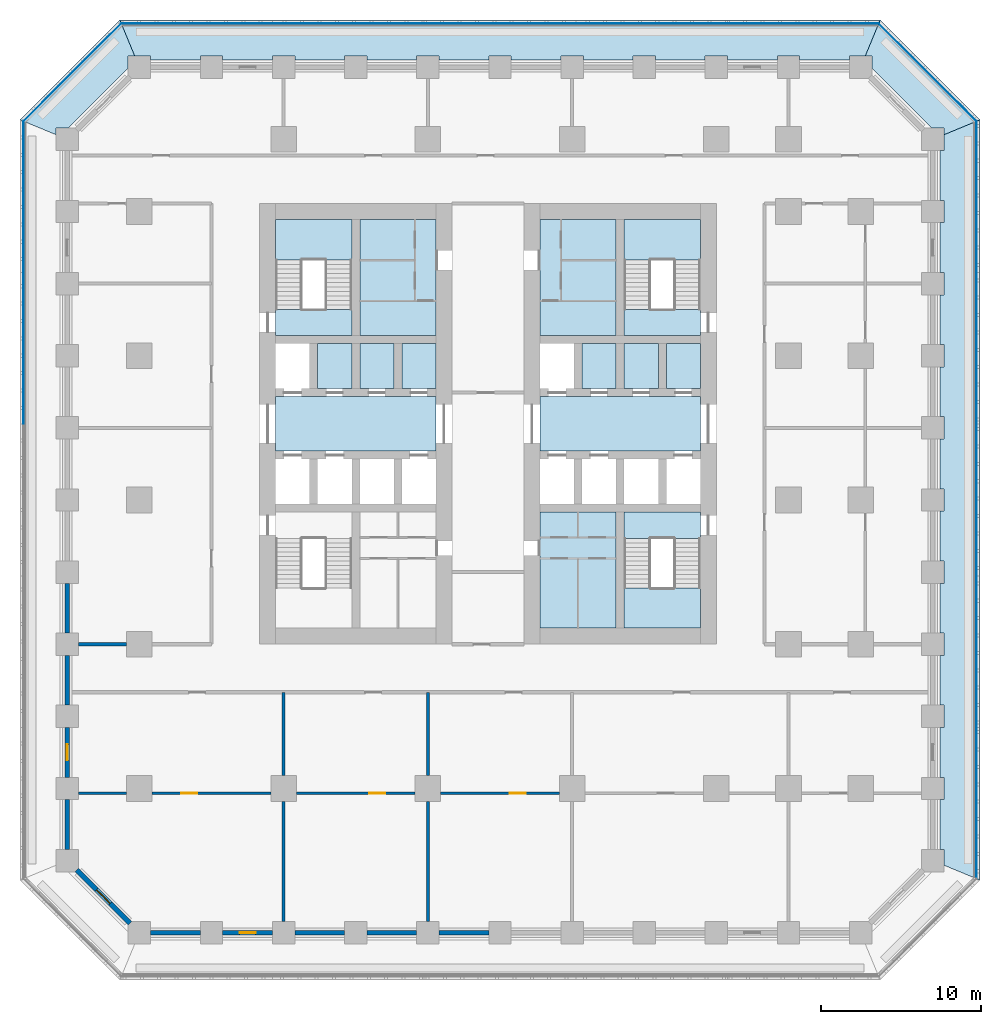
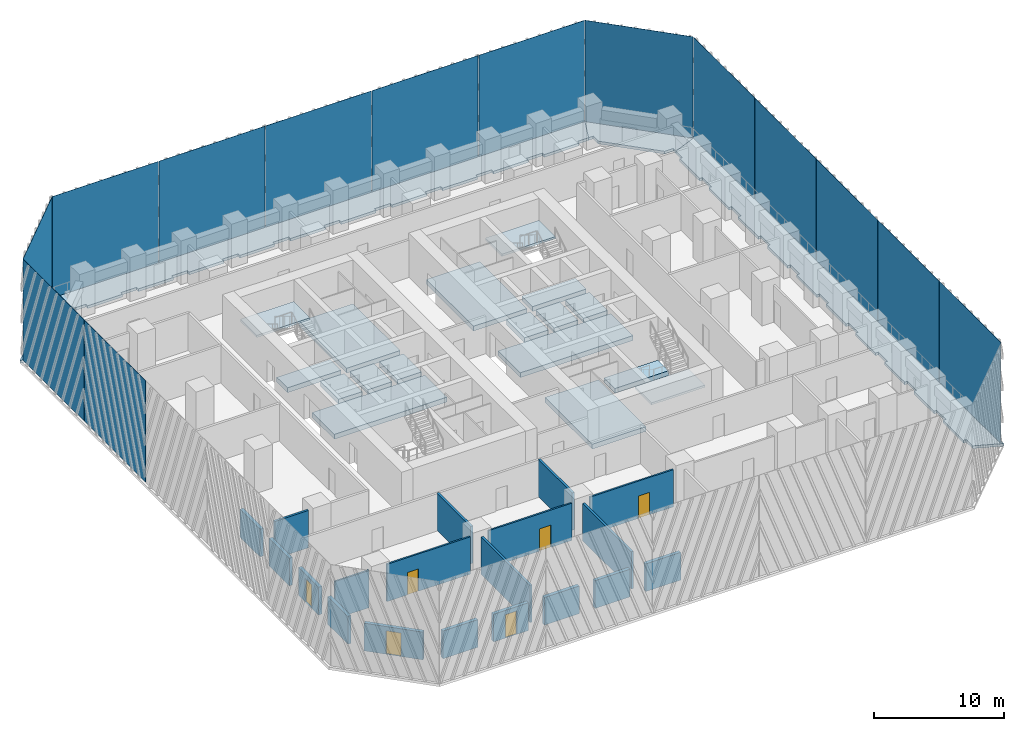
# One storey, part 2 of 13: 21 slabs, 19 walls, 14 plates, 6 doors, 6 openings, 3 elements without a shape of their own.
"""IFC4 building model written with IfcOpenShell, lengths in metres."""

from ifc_helpers import new_model, si_unit, direction, frame, frame_2d, origin, origin_2d, place, context, subcontext, project, spatial, polyline, rectangle, outline, extrude, material, layer, layer_set, type_object, element, fill, aggregate, save


model = new_model("IFC4")

# Units and contexts
model_context = context("Model", 3, precision=1e-05, world=origin(), true_north=direction((0.0, 1.0)))
body_context = subcontext(model_context, "Body", "Model", "MODEL_VIEW")
ifc_project = project(units=[si_unit("LENGTHUNIT", "METRE"), si_unit("AREAUNIT", "SQUARE_METRE"), si_unit("VOLUMEUNIT", "CUBIC_METRE"), si_unit("PLANEANGLEUNIT", "RADIAN"), si_unit("MASSUNIT", "GRAM", prefix="KILO")], contexts=[model_context])

# Site, building, storey
site_placement = place(None, origin())
site = spatial("IfcSite", under=ifc_project, at=site_placement, CompositionType="ELEMENT")
building_placement = place(site_placement, origin())
building = spatial("IfcBuilding", under=site, at=building_placement, Name="Corbel Stack Research Tower", CompositionType="ELEMENT")
storey_placement = place(building_placement, frame((0.0, 0.0, 66.5)))
storey = spatial("IfcBuildingStorey", under=building, at=storey_placement, Name="L15", CompositionType="ELEMENT", Elevation=66.5)

# Plates
ifc_material_1 = material(Name="Fritted glass", Category="glass")
ifc_layer_1 = layer(ifc_material_1, 0.02490234375)
ifc_layer_set_1 = layer_set([ifc_layer_1], Name="Fritted glass")
plate_type = type_object("IfcPlateType", Name="Fritted glass panel 25", PredefinedType="SHEET", material=ifc_layer_set_1)
for number, where, z_axis, x_axis, name in (
    (1, (34.237548828125, -18.911376953125, 0.0), (0.0, 0.0, 1.0), (0.0, 1.0, 0.0), "Fritted glass L15 E1"),
    (2, (34.237548828125, -9.45556640625, 0.0), (0.0, 0.0, 1.0), (0.0, 1.0, 0.0), "Fritted glass L15 E2"),
    (3, (34.237548828125, 0.0, 0.0), (0.0, 0.0, 1.0), (0.0, 1.0, 0.0), "Fritted glass L15 E3"),
    (4, (34.237548828125, 9.45556640625, 0.0), (0.0, 0.0, 1.0), (0.0, 1.0, 0.0), "Fritted glass L15 E4"),
    (5, (34.237548828125, 18.911376953125, 0.0), (0.0, 0.0, 1.0), (0.0, 1.0, 0.0), "Fritted glass L15 E5"),
):
    element("IfcPlate", number, at=place(storey_placement, frame(where, z_axis=z_axis, x_axis=x_axis)), inside=storey, type_object=plate_type, Name=name, PredefinedType="SHEET", context=body_context, shape_type="SweptSolid", body=[
        extrude(rectangle(XDim=9.3955078125, YDim=0.02490234375, at=origin_2d()), origin(), (0.0, 0.0, 1.0), 9.5),
    ])
plate_1_placement = place(storey_placement, frame((31.185791015625, 26.685791015625, 0.0), z_axis=(0.0, 0.0, 1.0), x_axis=(-0.707106781187, 0.707106781187, 0.0)))
element("IfcPlate", 6, at=plate_1_placement, inside=storey, type_object=plate_type, Name="Fritted glass L15 NE1", PredefinedType="SHEET", context=body_context, shape_type="SweptSolid", body=[
    extrude(rectangle(XDim=8.58203125, YDim=0.02490234375, at=origin_2d()), origin(), (0.0, 0.0, 1.0), 9.5),
])
for number, where, z_axis, x_axis, name in (
    (7, (23.411376953125, 29.737548828125, 0.0), (0.0, 0.0, 1.0), (-1.0, 0.0, 0.0), "Fritted glass L15 N1"),
    (8, (13.95556640625, 29.737548828125, 0.0), (0.0, 0.0, 1.0), (-1.0, 0.0, 0.0), "Fritted glass L15 N2"),
    (9, (4.5, 29.737548828125, 0.0), (0.0, 0.0, 1.0), (-1.0, 0.0, 0.0), "Fritted glass L15 N3"),
    (10, (-4.95556640625, 29.737548828125, 0.0), (0.0, 0.0, 1.0), (-1.0, 0.0, 0.0), "Fritted glass L15 N4"),
    (11, (-14.411376953125, 29.737548828125, 0.0), (0.0, 0.0, 1.0), (-1.0, 0.0, 0.0), "Fritted glass L15 N5"),
):
    element("IfcPlate", number, at=place(storey_placement, frame(where, z_axis=z_axis, x_axis=x_axis)), inside=storey, type_object=plate_type, Name=name, PredefinedType="SHEET", context=body_context, shape_type="SweptSolid", body=[
        extrude(rectangle(XDim=9.3955078125, YDim=0.02490234375, at=origin_2d()), origin(), (0.0, 0.0, 1.0), 9.5),
    ])
plate_2_placement = place(storey_placement, frame((-22.185791015625, 26.685791015625, 0.0), z_axis=(0.0, 0.0, 1.0), x_axis=(-0.707106781187, -0.707106781187, 0.0)))
element("IfcPlate", 12, at=plate_2_placement, inside=storey, type_object=plate_type, Name="Fritted glass L15 NW1", PredefinedType="SHEET", context=body_context, shape_type="SweptSolid", body=[
    extrude(rectangle(XDim=8.58203125, YDim=0.02490234375, at=origin_2d()), origin(), (0.0, 0.0, 1.0), 9.5),
])
for number, where, z_axis, x_axis, name in (
    (13, (-25.237548828125, 18.911376953125, 0.0), (0.0, 0.0, 1.0), (0.0, -1.0, 0.0), "Fritted glass L15 W1"),
    (14, (-25.237548828125, 9.45556640625, 0.0), (0.0, 0.0, 1.0), (0.0, -1.0, 0.0), "Fritted glass L15 W2"),
):
    element("IfcPlate", number, at=place(storey_placement, frame(where, z_axis=z_axis, x_axis=x_axis)), inside=storey, type_object=plate_type, Name=name, PredefinedType="SHEET", context=body_context, shape_type="SweptSolid", body=[
        extrude(rectangle(XDim=9.3955078125, YDim=0.02490234375, at=origin_2d()), origin(), (0.0, 0.0, 1.0), 9.5),
    ])

# Slabs
ifc_material_2 = material(Name="Concrete C45/55", Category="concrete")
ifc_layer_2 = layer(ifc_material_2, 0.25)
ifc_layer_set_2 = layer_set([ifc_layer_2], Name="Concrete C45/55")
slab_type_1 = type_object("IfcSlabType", Name="PT balcony slab 250 C45/55", PredefinedType="FLOOR", material=ifc_layer_set_2)
slab_1_placement = place(storey_placement, frame((0.0, 0.0, -0.25)))
element("IfcSlab", 15, at=slab_1_placement, inside=storey, type_object=slab_type_1, Name="Loggia slab L15 E", PredefinedType="FLOOR", context=body_context, shape_type="SweptSolid", body=[
    extrude(outline(polyline([(32.199951171875, 22.789794921875), (32.199951171875, 21.800048828125), (31.949951171875, 21.800048828125), (31.949951171875, 18.699951171875), (32.199951171875, 18.699951171875), (32.199951171875, 17.300048828125), (31.949951171875, 17.300048828125), (31.949951171875, 14.199951171875), (32.199951171875, 14.199951171875), (32.199951171875, 12.800048828125), (31.949951171875, 12.800048828125), (31.949951171875, 9.699951171875), (32.199951171875, 9.699951171875), (32.199951171875, 8.300048828125), (31.949951171875, 8.300048828125), (31.949951171875, 5.199951171875), (32.199951171875, 5.199951171875), (32.199951171875, 3.800048828125), (31.949951171875, 3.800048828125), (31.949951171875, 0.699951171875), (32.199951171875, 0.699951171875), (32.199951171875, -0.699951171875), (31.949951171875, -0.699951171875), (31.949951171875, -3.800048828125), (32.199951171875, -3.800048828125), (32.199951171875, -5.199951171875), (31.949951171875, -5.199951171875), (31.949951171875, -8.300048828125), (32.199951171875, -8.300048828125), (32.199951171875, -9.699951171875), (31.949951171875, -9.699951171875), (31.949951171875, -12.800048828125), (32.199951171875, -12.800048828125), (32.199951171875, -14.199951171875), (31.949951171875, -14.199951171875), (31.949951171875, -17.300048828125), (32.199951171875, -17.300048828125), (32.199951171875, -18.699951171875), (31.949951171875, -18.699951171875), (31.949951171875, -21.800048828125), (32.199951171875, -21.800048828125), (32.199951171875, -22.789794921875), (34.449951171875, -23.721923828125), (34.449951171875, 23.721923828125), (32.199951171875, 22.789794921875)])), origin(), (0.0, 0.0, 1.0), 0.25),
])
slab_2_placement = place(storey_placement, frame((0.0, 0.0, -0.25)))
element("IfcSlab", 16, at=slab_2_placement, inside=storey, type_object=slab_type_1, Name="Loggia slab L15 NE", PredefinedType="FLOOR", context=body_context, shape_type="SweptSolid", body=[
    extrude(outline(polyline([(27.289794921875, 27.699951171875), (27.699951171875, 27.699951171875), (27.699951171875, 26.936279296875), (31.436279296875, 23.199951171875), (32.199951171875, 23.199951171875), (32.199951171875, 22.789794921875), (34.449951171875, 23.721923828125), (28.221923828125, 29.949951171875), (27.289794921875, 27.699951171875)])), origin(), (0.0, 0.0, 1.0), 0.25),
])
slab_3_placement = place(storey_placement, frame((0.0, 0.0, -0.25)))
element("IfcSlab", 17, at=slab_3_placement, inside=storey, type_object=slab_type_1, Name="Loggia slab L15 N", PredefinedType="FLOOR", context=body_context, shape_type="SweptSolid", body=[
    extrude(outline(polyline([(-18.289794921875, 27.699951171875), (-17.300048828125, 27.699951171875), (-17.300048828125, 27.449951171875), (-14.199951171875, 27.449951171875), (-14.199951171875, 27.699951171875), (-12.800048828125, 27.699951171875), (-12.800048828125, 27.449951171875), (-9.699951171875, 27.449951171875), (-9.699951171875, 27.699951171875), (-8.300048828125, 27.699951171875), (-8.300048828125, 27.449951171875), (-5.199951171875, 27.449951171875), (-5.199951171875, 27.699951171875), (-3.800048828125, 27.699951171875), (-3.800048828125, 27.449951171875), (-0.699951171875, 27.449951171875), (-0.699951171875, 27.699951171875), (0.699951171875, 27.699951171875), (0.699951171875, 27.449951171875), (3.800048828125, 27.449951171875), (3.800048828125, 27.699951171875), (5.199951171875, 27.699951171875), (5.199951171875, 27.449951171875), (8.300048828125, 27.449951171875), (8.300048828125, 27.699951171875), (9.699951171875, 27.699951171875), (9.699951171875, 27.449951171875), (12.800048828125, 27.449951171875), (12.800048828125, 27.699951171875), (14.199951171875, 27.699951171875), (14.199951171875, 27.449951171875), (17.300048828125, 27.449951171875), (17.300048828125, 27.699951171875), (18.699951171875, 27.699951171875), (18.699951171875, 27.449951171875), (21.800048828125, 27.449951171875), (21.800048828125, 27.699951171875), (23.199951171875, 27.699951171875), (23.199951171875, 27.449951171875), (26.300048828125, 27.449951171875), (26.300048828125, 27.699951171875), (27.289794921875, 27.699951171875), (28.221923828125, 29.949951171875), (-19.221923828125, 29.949951171875), (-18.289794921875, 27.699951171875)])), origin(), (0.0, 0.0, 1.0), 0.25),
])
slab_4_placement = place(storey_placement, frame((0.0, 0.0, -0.25)))
element("IfcSlab", 18, at=slab_4_placement, inside=storey, type_object=slab_type_1, Name="Loggia slab L15 NW", PredefinedType="FLOOR", context=body_context, shape_type="SweptSolid", body=[
    extrude(outline(polyline([(-23.199951171875, 22.789794921875), (-23.199951171875, 23.199951171875), (-22.436279296875, 23.199951171875), (-18.699951171875, 26.936279296875), (-18.699951171875, 27.699951171875), (-18.289794921875, 27.699951171875), (-19.221923828125, 29.949951171875), (-25.449951171875, 23.721923828125), (-23.199951171875, 22.789794921875)])), origin(), (0.0, 0.0, 1.0), 0.25),
])
ifc_material_3 = material(Name="Concrete C45/55", Category="concrete")
ifc_layer_3 = layer(ifc_material_3, 0.449951171875)
ifc_layer_set_3 = layer_set([ifc_layer_3], Name="Concrete C45/55")
slab_type_2 = type_object("IfcSlabType", Name="PT-450", PredefinedType="FLOOR", material=ifc_layer_set_3)
slab_5_placement = place(storey_placement, frame((0.0, 0.0, -0.449951171875)))
element("IfcSlab", 19, at=slab_5_placement, inside=storey, type_object=slab_type_2, Name="West core floor L15", PredefinedType="FLOOR", context=body_context, shape_type="SweptSolid", body=[
    extrude(outline(polyline([(-9.5, 6.449951171875), (-9.5, 3.050048828125), (0.5, 3.050048828125), (0.5, 6.449951171875), (-9.5, 6.449951171875)])), origin(), (0.0, 0.0, 1.0), 0.449951171875),
])
slab_6_placement = place(storey_placement, frame((0.0, 0.0, -0.449951171875)))
element("IfcSlab", 20, at=slab_6_placement, inside=storey, type_object=slab_type_2, Name="West core floor L15", PredefinedType="FLOOR", context=body_context, shape_type="SweptSolid", body=[
    extrude(outline(polyline([(-6.875, 6.949951171875), (-4.75, 6.949951171875), (-4.75, 9.75), (-6.875, 9.75), (-6.875, 6.949951171875)])), origin(), (0.0, 0.0, 1.0), 0.449951171875),
])
slab_7_placement = place(storey_placement, frame((0.0, 0.0, -0.449951171875)))
element("IfcSlab", 21, at=slab_7_placement, inside=storey, type_object=slab_type_2, Name="West core floor L15", PredefinedType="FLOOR", context=body_context, shape_type="SweptSolid", body=[
    extrude(outline(polyline([(-2.125, 6.949951171875), (-2.125, 9.75), (-4.25, 9.75), (-4.25, 6.949951171875), (-2.125, 6.949951171875)])), origin(), (0.0, 0.0, 1.0), 0.449951171875),
])
slab_8_placement = place(storey_placement, frame((0.0, 0.0, -0.449951171875)))
element("IfcSlab", 22, at=slab_8_placement, inside=storey, type_object=slab_type_2, Name="West core floor L15", PredefinedType="FLOOR", context=body_context, shape_type="SweptSolid", body=[
    extrude(outline(polyline([(-4.25, 17.5), (-4.25, 10.25), (0.5, 10.25), (0.5, 17.5), (-4.25, 17.5)])), origin(), (0.0, 0.0, 1.0), 0.449951171875),
])
slab_9_placement = place(storey_placement, frame((0.0, 0.0, -0.449951171875)))
element("IfcSlab", 23, at=slab_9_placement, inside=storey, type_object=slab_type_2, Name="West core floor L15", PredefinedType="FLOOR", context=body_context, shape_type="SweptSolid", body=[
    extrude(outline(polyline([(0.5, 6.949951171875), (0.5, 9.75), (-1.625, 9.75), (-1.625, 6.949951171875), (0.5, 6.949951171875)])), origin(), (0.0, 0.0, 1.0), 0.449951171875),
])
slab_10_placement = place(storey_placement, frame((0.0, 0.0, -0.449951171875)))
element("IfcSlab", 24, at=slab_10_placement, inside=storey, type_object=slab_type_2, Name="East core floor L15", PredefinedType="FLOOR", context=body_context, shape_type="SweptSolid", body=[
    extrude(outline(polyline([(7.0, -0.75), (7.0, -8.0), (11.75, -8.0), (11.75, -0.75), (7.0, -0.75)])), origin(), (0.0, 0.0, 1.0), 0.449951171875),
])
slab_11_placement = place(storey_placement, frame((0.0, 0.0, -0.449951171875)))
element("IfcSlab", 25, at=slab_11_placement, inside=storey, type_object=slab_type_2, Name="East core floor L15", PredefinedType="FLOOR", context=body_context, shape_type="SweptSolid", body=[
    extrude(outline(polyline([(7.0, 6.449951171875), (7.0, 3.050048828125), (17.0, 3.050048828125), (17.0, 6.449951171875), (7.0, 6.449951171875)])), origin(), (0.0, 0.0, 1.0), 0.449951171875),
])
slab_12_placement = place(storey_placement, frame((0.0, 0.0, -0.449951171875)))
element("IfcSlab", 26, at=slab_12_placement, inside=storey, type_object=slab_type_2, Name="East core floor L15", PredefinedType="FLOOR", context=body_context, shape_type="SweptSolid", body=[
    extrude(outline(polyline([(7.0, 17.5), (7.0, 10.25), (11.75, 10.25), (11.75, 17.5), (7.0, 17.5)])), origin(), (0.0, 0.0, 1.0), 0.449951171875),
])
slab_13_placement = place(storey_placement, frame((0.0, 0.0, -0.449951171875)))
element("IfcSlab", 27, at=slab_13_placement, inside=storey, type_object=slab_type_2, Name="East core floor L15", PredefinedType="FLOOR", context=body_context, shape_type="SweptSolid", body=[
    extrude(outline(polyline([(9.625, 6.949951171875), (11.75, 6.949951171875), (11.75, 9.75), (9.625, 9.75), (9.625, 6.949951171875)])), origin(), (0.0, 0.0, 1.0), 0.449951171875),
])
slab_14_placement = place(storey_placement, frame((0.0, 0.0, -0.449951171875)))
element("IfcSlab", 28, at=slab_14_placement, inside=storey, type_object=slab_type_2, Name="East core floor L15", PredefinedType="FLOOR", context=body_context, shape_type="SweptSolid", body=[
    extrude(outline(polyline([(14.375, 6.949951171875), (14.375, 9.75), (12.25, 9.75), (12.25, 6.949951171875), (14.375, 6.949951171875)])), origin(), (0.0, 0.0, 1.0), 0.449951171875),
])
slab_15_placement = place(storey_placement, frame((0.0, 0.0, -0.449951171875)))
element("IfcSlab", 29, at=slab_15_placement, inside=storey, type_object=slab_type_2, Name="East core floor L15", PredefinedType="FLOOR", context=body_context, shape_type="SweptSolid", body=[
    extrude(outline(polyline([(17.0, 6.949951171875), (17.0, 9.75), (14.875, 9.75), (14.875, 6.949951171875), (17.0, 6.949951171875)])), origin(), (0.0, 0.0, 1.0), 0.449951171875),
])
slab_16_placement = place(storey_placement, frame((0.0, 0.0, -0.449951171875)))
element("IfcSlab", 30, at=slab_16_placement, inside=storey, type_object=slab_type_2, Name="Stair floor landing ST-W2", PredefinedType="FLOOR", context=body_context, shape_type="SweptSolid", body=[
    extrude(outline(polyline([(-9.5, 10.25), (-4.75, 10.25), (-4.75, 11.89990234375), (-9.5, 11.89990234375), (-9.5, 10.25)])), origin(), (0.0, 0.0, 1.0), 0.449951171875),
])
slab_17_placement = place(storey_placement, frame((0.0, 0.0, -0.449951171875)))
element("IfcSlab", 31, at=slab_17_placement, inside=storey, type_object=slab_type_2, Name="Stair floor landing ST-E1", PredefinedType="FLOOR", context=body_context, shape_type="SweptSolid", body=[
    extrude(outline(polyline([(12.25, -2.39990234375), (17.0, -2.39990234375), (17.0, -0.75), (12.25, -0.75), (12.25, -2.39990234375)])), origin(), (0.0, 0.0, 1.0), 0.449951171875),
])
slab_18_placement = place(storey_placement, frame((0.0, 0.0, -0.449951171875)))
element("IfcSlab", 32, at=slab_18_placement, inside=storey, type_object=slab_type_2, Name="Stair floor landing ST-E2", PredefinedType="FLOOR", context=body_context, shape_type="SweptSolid", body=[
    extrude(outline(polyline([(12.25, 10.25), (17.0, 10.25), (17.0, 11.89990234375), (12.25, 11.89990234375), (12.25, 10.25)])), origin(), (0.0, 0.0, 1.0), 0.449951171875),
])

# Stair, slab
ifc_material_4 = material(Name="Concrete C40/50", Category="concrete")
stair_type = type_object("IfcStairType", Name="Exit stair 24 risers", PredefinedType="HALF_TURN_STAIR", material=ifc_material_4)
stair_1_placement = place(storey_placement, origin())
stair_1 = element("IfcStair", 33, at=stair_1_placement, inside=storey, type_object=stair_type, Name="L15 Exit stair ST-W2", PredefinedType="HALF_TURN_STAIR")
ifc_material_5 = material(Name="Concrete C40/50", Category="concrete")
ifc_layer_4 = layer(ifc_material_5, 0.199951171875)
ifc_layer_set_4 = layer_set([ifc_layer_4], Name="Concrete C40/50")
slab_type_3 = type_object("IfcSlabType", Name="Stair landing 200 C40/50", PredefinedType="LANDING", material=ifc_layer_set_4)
slab_19_placement = place(storey_placement, frame((0.0, 0.0, 1.85009765625)))
slab_19 = element("IfcSlab", 34, at=slab_19_placement, type_object=slab_type_3, Name="ST-W2 landing 1", PredefinedType="LANDING", context=body_context, shape_type="SweptSolid", body=[
    extrude(outline(polyline([(-9.5, 14.97998046875), (-9.5, 17.5), (-4.75, 17.5), (-4.75, 14.97998046875), (-9.5, 14.97998046875)])), origin(), (0.0, 0.0, 1.0), 0.199951171875),
])
aggregate(stair_1, [slab_19])

stair_2_placement = place(storey_placement, origin())
stair_2 = element("IfcStair", 35, at=stair_2_placement, inside=storey, type_object=stair_type, Name="L15 Exit stair ST-E1", PredefinedType="HALF_TURN_STAIR")
slab_20_placement = place(storey_placement, frame((0.0, 0.0, 1.85009765625)))
slab_20 = element("IfcSlab", 36, at=slab_20_placement, type_object=slab_type_3, Name="ST-E1 landing 1", PredefinedType="LANDING", context=body_context, shape_type="SweptSolid", body=[
    extrude(outline(polyline([(12.25, -8.0), (12.25, -5.47998046875), (17.0, -5.47998046875), (17.0, -8.0), (12.25, -8.0)])), origin(), (0.0, 0.0, 1.0), 0.199951171875),
])
aggregate(stair_2, [slab_20])

stair_3_placement = place(storey_placement, origin())
stair_3 = element("IfcStair", 37, at=stair_3_placement, inside=storey, type_object=stair_type, Name="L15 Exit stair ST-E2", PredefinedType="HALF_TURN_STAIR")
slab_21_placement = place(storey_placement, frame((0.0, 0.0, 1.85009765625)))
slab_21 = element("IfcSlab", 38, at=slab_21_placement, type_object=slab_type_3, Name="ST-E2 landing 1", PredefinedType="LANDING", context=body_context, shape_type="SweptSolid", body=[
    extrude(outline(polyline([(12.25, 14.97998046875), (12.25, 17.5), (17.0, 17.5), (17.0, 14.97998046875), (12.25, 14.97998046875)])), origin(), (0.0, 0.0, 1.0), 0.199951171875),
])
aggregate(stair_3, [slab_21])

# Walls
ifc_material_6 = material(Name="Fire-rated gypsum board partition on steel studs", Category="steel")
ifc_layer_5 = layer(ifc_material_6, 0.199951171875)
ifc_layer_set_5 = layer_set([ifc_layer_5], Name="Fire-rated gypsum board partition on steel studs")
wall_type_1 = type_object("IfcWallType", Name="Fire-rated partition 200 EI 60", PredefinedType="PARTITIONING", material=ifc_layer_set_5)
wall_1_placement = place(storey_placement, frame((-9.0, -26.300048828125, 0.0), z_axis=(0.0, 0.0, 1.0), x_axis=(0.0, 1.0, 0.0)))
element("IfcWall", 39, at=wall_1_placement, inside=storey, type_object=wall_type_1, Name="Partition L15-002", PredefinedType="PARTITIONING", context=body_context, shape_type="SweptSolid", body=[
    extrude(rectangle(XDim=7.5, YDim=0.199951171875, at=frame_2d((3.75, 0.0))), origin(), (0.0, 0.0, 1.0), 3.5),
])
wall_2_placement = place(storey_placement, frame((-9.0, -17.199951171875, 0.0), z_axis=(0.0, 0.0, 1.0), x_axis=(0.0, 1.0, 0.0)))
element("IfcWall", 40, at=wall_2_placement, inside=storey, type_object=wall_type_1, Name="Partition L15-003", PredefinedType="PARTITIONING", context=body_context, shape_type="SweptSolid", body=[
    extrude(rectangle(XDim=5.199951171875, YDim=0.199951171875, at=frame_2d((2.60009765625, 0.0))), origin(), (0.0, 0.0, 1.0), 3.5),
])
wall_3_placement = place(storey_placement, frame((0.0, -26.300048828125, 0.0), z_axis=(0.0, 0.0, 1.0), x_axis=(0.0, 1.0, 0.0)))
element("IfcWall", 41, at=wall_3_placement, inside=storey, type_object=wall_type_1, Name="Partition L15-005", PredefinedType="PARTITIONING", context=body_context, shape_type="SweptSolid", body=[
    extrude(rectangle(XDim=7.5, YDim=0.199951171875, at=frame_2d((3.75, 0.0))), origin(), (0.0, 0.0, 1.0), 3.5),
])
wall_4_placement = place(storey_placement, frame((0.0, -17.199951171875, 0.0), z_axis=(0.0, 0.0, 1.0), x_axis=(0.0, 1.0, 0.0)))
element("IfcWall", 42, at=wall_4_placement, inside=storey, type_object=wall_type_1, Name="Partition L15-006", PredefinedType="PARTITIONING", context=body_context, shape_type="SweptSolid", body=[
    extrude(rectangle(XDim=5.199951171875, YDim=0.199951171875, at=frame_2d((2.60009765625, 0.0))), origin(), (0.0, 0.0, 1.0), 3.5),
])
wall_5_placement = place(storey_placement, frame((-21.800048828125, -9.0, 0.0), z_axis=(0.0, 0.0, 1.0), x_axis=(1.0, 0.0, 0.0)))
element("IfcWall", 43, at=wall_5_placement, inside=storey, type_object=wall_type_1, Name="Partition L15-027", PredefinedType="PARTITIONING", context=body_context, shape_type="SweptSolid", body=[
    extrude(rectangle(XDim=3.0, YDim=0.199951171875, at=frame_2d((1.5, 0.0))), origin(), (0.0, 0.0, 1.0), 3.5),
])
ifc_material_7 = material(Name="Gypsum board partition on steel studs", Category="steel")
ifc_layer_6 = layer(ifc_material_7, 0.14990234375)
ifc_layer_set_6 = layer_set([ifc_layer_6], Name="Gypsum board partition on steel studs")
wall_type_2 = type_object("IfcWallType", Name="Partition 150", PredefinedType="PARTITIONING", material=ifc_layer_set_6)
wall_6_placement = place(storey_placement, frame((-21.800048828125, -18.300048828125, 0.0), z_axis=(0.0, 0.0, 1.0), x_axis=(1.0, 0.0, 0.0)))
element("IfcWall", 44, at=wall_6_placement, inside=storey, type_object=wall_type_2, Name="Partition L15-018", PredefinedType="PARTITIONING", context=body_context, shape_type="SweptSolid", body=[
    extrude(rectangle(XDim=3.0, YDim=0.14990234375, at=frame_2d((1.5, 0.0))), origin(), (0.0, 0.0, 1.0), 3.5),
])

# Wall, opening, door
wall_7_placement = place(storey_placement, frame((-9.800048828125, -18.300048828125, 0.0), z_axis=(0.0, 0.0, 1.0), x_axis=(-1.0, 0.0, 0.0)))
wall_7 = element("IfcWall", 45, at=wall_7_placement, inside=storey, type_object=wall_type_2, Name="Partition L15-019", PredefinedType="PARTITIONING", context=body_context, shape_type="SweptSolid", body=[
    extrude(rectangle(XDim=7.39990234375, YDim=0.14990234375, at=frame_2d((3.699951171875, 0.0))), origin(), (0.0, 0.0, 1.0), 3.5),
])
opening_1_placement = place(wall_7_placement, frame((4.60009765625, 0.0, 0.0)))
opening_1 = element("IfcOpeningElement", 46, at=opening_1_placement, cuts=wall_7, Name="Opening B2V2-001", PredefinedType="OPENING", context=body_context, shape_type="SweptSolid", body=[
    extrude(rectangle(XDim=1.0, YDim=2.10009765625, at=frame_2d((0.5, 1.050048828125))), frame((0.0, 0.0849609375, 0.0), z_axis=(0.0, -1.0, 0.0), x_axis=(1.0, 0.0, 0.0)), (0.0, 0.0, 1.0), 0.169921875),
])
ifc_material_8 = material(Name="Painted timber door", Category="wood")
door_type_1 = type_object("IfcDoorType", Name="Single door 1000 x 2100", OperationType="NOTDEFINED", PredefinedType="DOOR", material=ifc_material_8)
door_1_placement = place(opening_1_placement, origin())
door_1 = element("IfcDoor", 47, at=door_1_placement, inside=storey, type_object=door_type_1, Name="Door B2V2-001", OperationType="SINGLE_SWING_RIGHT", OverallHeight=2.10009765625, OverallWidth=1.0, PredefinedType="DOOR", context=body_context, shape_type="SweptSolid", body=[
    extrude(rectangle(XDim=1.0, YDim=2.10009765625, at=frame_2d((0.5, 1.050048828125))), frame((0.0, 0.02490234375, 0.0), z_axis=(0.0, -1.0, 0.0), x_axis=(1.0, 0.0, 0.0)), (0.0, 0.0, 1.0), 0.050048828125),
])
fill(opening_1, door_1)

wall_8_placement = place(storey_placement, frame((-0.800048828125, -18.300048828125, 0.0), z_axis=(0.0, 0.0, 1.0), x_axis=(-1.0, 0.0, 0.0)))
wall_8 = element("IfcWall", 48, at=wall_8_placement, inside=storey, type_object=wall_type_2, Name="Partition L15-020", PredefinedType="PARTITIONING", context=body_context, shape_type="SweptSolid", body=[
    extrude(rectangle(XDim=7.39990234375, YDim=0.14990234375, at=frame_2d((3.699951171875, 0.0))), origin(), (0.0, 0.0, 1.0), 3.5),
])
opening_2_placement = place(wall_8_placement, frame((1.85009765625, 0.0, 0.0)))
opening_2 = element("IfcOpeningElement", 49, at=opening_2_placement, cuts=wall_8, Name="Opening B2V2-002", PredefinedType="OPENING", context=body_context, shape_type="SweptSolid", body=[
    extrude(rectangle(XDim=1.0, YDim=2.10009765625, at=frame_2d((0.5, 1.050048828125))), frame((0.0, 0.0849609375, 0.0), z_axis=(0.0, -1.0, 0.0), x_axis=(1.0, 0.0, 0.0)), (0.0, 0.0, 1.0), 0.169921875),
])
door_2_placement = place(opening_2_placement, origin())
door_2 = element("IfcDoor", 50, at=door_2_placement, inside=storey, type_object=door_type_1, Name="Door B2V2-002", OperationType="SINGLE_SWING_LEFT", OverallHeight=2.10009765625, OverallWidth=1.0, PredefinedType="DOOR", context=body_context, shape_type="SweptSolid", body=[
    extrude(rectangle(XDim=1.0, YDim=2.10009765625, at=frame_2d((0.5, 1.050048828125))), frame((0.0, 0.02490234375, 0.0), z_axis=(0.0, -1.0, 0.0), x_axis=(1.0, 0.0, 0.0)), (0.0, 0.0, 1.0), 0.050048828125),
])
fill(opening_2, door_2)

wall_9_placement = place(storey_placement, frame((8.199951171875, -18.300048828125, 0.0), z_axis=(0.0, 0.0, 1.0), x_axis=(-1.0, 0.0, 0.0)))
wall_9 = element("IfcWall", 51, at=wall_9_placement, inside=storey, type_object=wall_type_2, Name="Partition L15-021", PredefinedType="PARTITIONING", context=body_context, shape_type="SweptSolid", body=[
    extrude(rectangle(XDim=7.39990234375, YDim=0.14990234375, at=frame_2d((3.699951171875, 0.0))), origin(), (0.0, 0.0, 1.0), 3.5),
])
opening_3_placement = place(wall_9_placement, frame((2.10009765625, 0.0, 0.0)))
opening_3 = element("IfcOpeningElement", 52, at=opening_3_placement, cuts=wall_9, Name="Opening B2V2-003", PredefinedType="OPENING", context=body_context, shape_type="SweptSolid", body=[
    extrude(rectangle(XDim=1.0, YDim=2.10009765625, at=frame_2d((0.5, 1.050048828125))), frame((0.0, 0.0849609375, 0.0), z_axis=(0.0, -1.0, 0.0), x_axis=(1.0, 0.0, 0.0)), (0.0, 0.0, 1.0), 0.169921875),
])
door_3_placement = place(opening_3_placement, origin())
door_3 = element("IfcDoor", 53, at=door_3_placement, inside=storey, type_object=door_type_1, Name="Door B2V2-003", OperationType="SINGLE_SWING_LEFT", OverallHeight=2.10009765625, OverallWidth=1.0, PredefinedType="DOOR", context=body_context, shape_type="SweptSolid", body=[
    extrude(rectangle(XDim=1.0, YDim=2.10009765625, at=frame_2d((0.5, 1.050048828125))), frame((0.0, 0.02490234375, 0.0), z_axis=(0.0, -1.0, 0.0), x_axis=(1.0, 0.0, 0.0)), (0.0, 0.0, 1.0), 0.050048828125),
])
fill(opening_3, door_3)

# Wall
ifc_material_9 = material(Name="Concrete C45/55", Category="concrete")
ifc_layer_7 = layer(ifc_material_9, 0.300048828125)
ifc_layer_set_7 = layer_set([ifc_layer_7], Name="Concrete C45/55")
wall_type_3 = type_object("IfcWallType", Name="Terracotta-faced concrete wall 300", PredefinedType="SOLIDWALL", material=ifc_layer_set_7)
wall_10_placement = place(storey_placement, frame((-14.199951171875, -27.0, 0.0), z_axis=(0.0, 0.0, 1.0), x_axis=(-1.0, 0.0, 0.0)))
element("IfcWall", 54, at=wall_10_placement, inside=storey, type_object=wall_type_3, Name="Facade wall L15 S01", PredefinedType="SOLIDWALL", context=body_context, shape_type="SweptSolid", body=[
    extrude(rectangle(XDim=3.10009765625, YDim=0.300048828125, at=frame_2d((1.550048828125, 0.0))), origin(), (0.0, 0.0, 1.0), 2.60009765625),
])

# Wall, opening, door
wall_11_placement = place(storey_placement, frame((-9.699951171875, -27.0, 0.0), z_axis=(0.0, 0.0, 1.0), x_axis=(-1.0, 0.0, 0.0)))
wall_11 = element("IfcWall", 55, at=wall_11_placement, inside=storey, type_object=wall_type_3, Name="Facade wall L15 S02", PredefinedType="SOLIDWALL", context=body_context, shape_type="SweptSolid", body=[
    extrude(rectangle(XDim=3.10009765625, YDim=0.300048828125, at=frame_2d((1.550048828125, 0.0))), origin(), (0.0, 0.0, 1.0), 2.60009765625),
])
opening_4_placement = place(wall_11_placement, frame((1.050048828125, 0.0, 0.0)))
opening_4 = element("IfcOpeningElement", 56, at=opening_4_placement, cuts=wall_11, Name="Opening L15-B01", PredefinedType="OPENING", context=body_context, shape_type="SweptSolid", body=[
    extrude(rectangle(XDim=1.0, YDim=2.199951171875, at=frame_2d((0.5, 1.10009765625))), frame((0.0, 0.159912109375, 0.0), z_axis=(0.0, -1.0, 0.0), x_axis=(1.0, 0.0, 0.0)), (0.0, 0.0, 1.0), 0.320068359375),
])
ifc_material_10 = material(Name="Aluminium frame, clear double glazing", Category="aluminium")
door_type_2 = type_object("IfcDoorType", Name="Balcony door BD1 1000 x 2200", OperationType="NOTDEFINED", PredefinedType="DOOR", material=ifc_material_10)
door_4_placement = place(opening_4_placement, origin())
door_4 = element("IfcDoor", 57, at=door_4_placement, inside=storey, type_object=door_type_2, Name="Balcony door L15-B01", OperationType="SINGLE_SWING_LEFT", OverallHeight=2.199951171875, OverallWidth=1.0, PredefinedType="DOOR", context=body_context, shape_type="SweptSolid", body=[
    extrude(rectangle(XDim=1.0, YDim=2.199951171875, at=frame_2d((0.5, 1.10009765625))), frame((0.0, 0.02490234375, 0.0), z_axis=(0.0, -1.0, 0.0), x_axis=(1.0, 0.0, 0.0)), (0.0, 0.0, 1.0), 0.050048828125),
])
fill(opening_4, door_4)

# Walls
for number, where, z_axis, x_axis, name in (
    (58, (-5.199951171875, -27.0, 0.0), (0.0, 0.0, 1.0), (-1.0, 0.0, 0.0), "Facade wall L15 S03"),
    (59, (-0.699951171875, -27.0, 0.0), (0.0, 0.0, 1.0), (-1.0, 0.0, 0.0), "Facade wall L15 S04"),
    (60, (3.800048828125, -27.0, 0.0), (0.0, 0.0, 1.0), (-1.0, 0.0, 0.0), "Facade wall L15 S05"),
    (61, (-22.5, -8.300048828125, 0.0), (0.0, 0.0, 1.0), (0.0, 1.0, 0.0), "Facade wall L15 W07"),
    (62, (-22.5, -12.800048828125, 0.0), (0.0, 0.0, 1.0), (0.0, 1.0, 0.0), "Facade wall L15 W08"),
):
    element("IfcWall", number, at=place(storey_placement, frame(where, z_axis=z_axis, x_axis=x_axis)), inside=storey, type_object=wall_type_3, Name=name, PredefinedType="SOLIDWALL", context=body_context, shape_type="SweptSolid", body=[
        extrude(rectangle(XDim=3.10009765625, YDim=0.300048828125, at=frame_2d((1.550048828125, 0.0))), origin(), (0.0, 0.0, 1.0), 2.60009765625),
    ])

# Wall, opening, door
wall_12_placement = place(storey_placement, frame((-22.5, -17.300048828125, 0.0), z_axis=(0.0, 0.0, 1.0), x_axis=(0.0, 1.0, 0.0)))
wall_12 = element("IfcWall", 63, at=wall_12_placement, inside=storey, type_object=wall_type_3, Name="Facade wall L15 W09", PredefinedType="SOLIDWALL", context=body_context, shape_type="SweptSolid", body=[
    extrude(rectangle(XDim=3.10009765625, YDim=0.300048828125, at=frame_2d((1.550048828125, 0.0))), origin(), (0.0, 0.0, 1.0), 2.60009765625),
])
opening_5_placement = place(wall_12_placement, frame((1.050048828125, 0.0, 0.0)))
opening_5 = element("IfcOpeningElement", 64, at=opening_5_placement, cuts=wall_12, Name="Opening L15-B11", PredefinedType="OPENING", context=body_context, shape_type="SweptSolid", body=[
    extrude(rectangle(XDim=1.0, YDim=2.199951171875, at=frame_2d((0.5, 1.10009765625))), frame((0.0, 0.159912109375, 0.0), z_axis=(0.0, -1.0, 0.0), x_axis=(1.0, 0.0, 0.0)), (0.0, 0.0, 1.0), 0.320068359375),
])
door_5_placement = place(opening_5_placement, origin())
door_5 = element("IfcDoor", 65, at=door_5_placement, inside=storey, type_object=door_type_2, Name="Balcony door L15-B11", OperationType="SINGLE_SWING_RIGHT", OverallHeight=2.199951171875, OverallWidth=1.0, PredefinedType="DOOR", context=body_context, shape_type="SweptSolid", body=[
    extrude(rectangle(XDim=1.0, YDim=2.199951171875, at=frame_2d((0.5, 1.10009765625))), frame((0.0, 0.02490234375, 0.0), z_axis=(0.0, -1.0, 0.0), x_axis=(1.0, 0.0, 0.0)), (0.0, 0.0, 1.0), 0.050048828125),
])
fill(opening_5, door_5)

# Wall
wall_13_placement = place(storey_placement, frame((-22.5, -21.800048828125, 0.0), z_axis=(0.0, 0.0, 1.0), x_axis=(0.0, 1.0, 0.0)))
element("IfcWall", 66, at=wall_13_placement, inside=storey, type_object=wall_type_3, Name="Facade wall L15 W10", PredefinedType="SOLIDWALL", context=body_context, shape_type="SweptSolid", body=[
    extrude(rectangle(XDim=3.10009765625, YDim=0.300048828125, at=frame_2d((1.550048828125, 0.0))), origin(), (0.0, 0.0, 1.0), 2.60009765625),
])

# Wall, opening, door
wall_14_placement = place(storey_placement, frame((-18.593994140625, -26.406005859375, 0.0), z_axis=(0.0, 0.0, 1.0), x_axis=(-0.707106781187, 0.707106781187, 0.0)))
wall_14 = element("IfcWall", 67, at=wall_14_placement, inside=storey, type_object=wall_type_3, Name="Facade wall L15 SW01", PredefinedType="SOLIDWALL", context=body_context, shape_type="SweptSolid", body=[
    extrude(rectangle(XDim=4.683837890625, YDim=0.300048828125, at=frame_2d((2.341796875, 0.0))), origin(), (0.0, 0.0, 1.0), 2.60009765625),
])
opening_6_placement = place(wall_14_placement, frame((1.741943359375, 0.0, 0.0)))
opening_6 = element("IfcOpeningElement", 68, at=opening_6_placement, cuts=wall_14, Name="Opening L15-B12", PredefinedType="OPENING", context=body_context, shape_type="SweptSolid", body=[
    extrude(rectangle(XDim=1.199951171875, YDim=2.199951171875, at=frame_2d((0.60009765625, 1.10009765625))), frame((0.0, 0.159912109375, 0.0), z_axis=(0.0, -1.0, 0.0), x_axis=(1.0, 0.0, 0.0)), (0.0, 0.0, 1.0), 0.320068359375),
])
ifc_material_11 = material(Name="Aluminium frame, clear double glazing", Category="aluminium")
door_type_3 = type_object("IfcDoorType", Name="Balcony door BD2 1200 x 2200", OperationType="NOTDEFINED", PredefinedType="DOOR", material=ifc_material_11)
door_6_placement = place(opening_6_placement, origin())
door_6 = element("IfcDoor", 69, at=door_6_placement, inside=storey, type_object=door_type_3, Name="Balcony door L15-B12", OperationType="SINGLE_SWING_RIGHT", OverallHeight=2.199951171875, OverallWidth=1.199951171875, PredefinedType="DOOR", context=body_context, shape_type="SweptSolid", body=[
    extrude(rectangle(XDim=1.199951171875, YDim=2.199951171875, at=frame_2d((0.60009765625, 1.10009765625))), frame((0.0, 0.02490234375, 0.0), z_axis=(0.0, -1.0, 0.0), x_axis=(1.0, 0.0, 0.0)), (0.0, 0.0, 1.0), 0.050048828125),
])
fill(opening_6, door_6)

save(model, "model.ifc")
